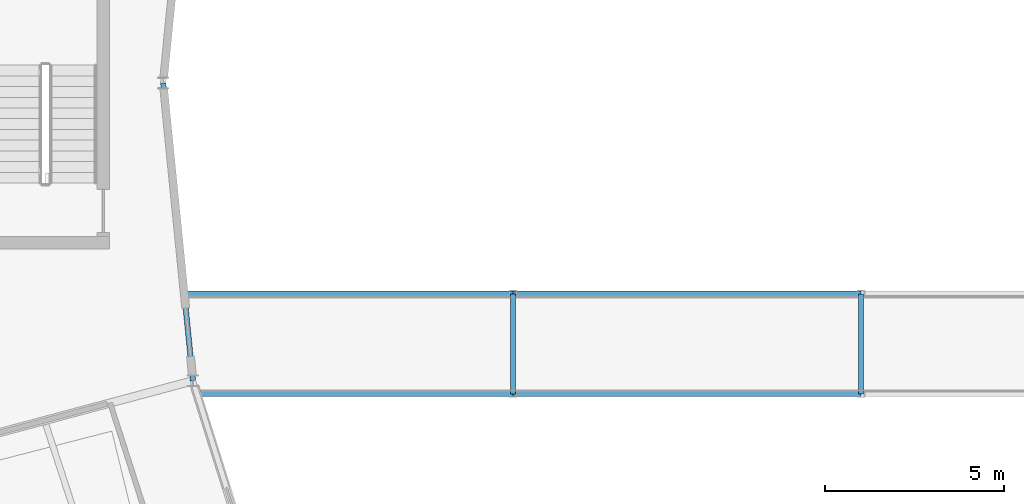
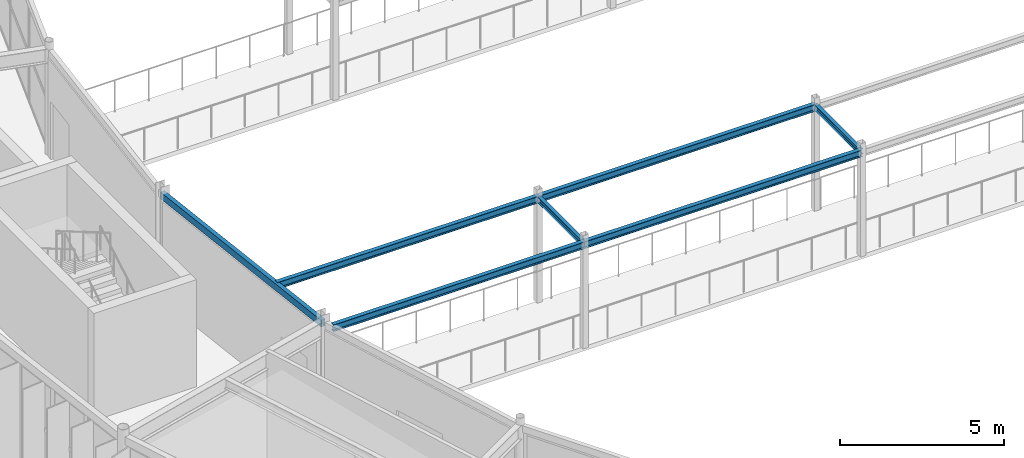
# One storey, part 44 of 148: 7 beams.
"""IFC4 building model written with IfcOpenShell, lengths in metres."""

import ifcopenshell
import ifcopenshell.guid

model = None  # the IFC model being written
_history = None  # IfcOwnerHistory: only IFC2X3 demands one
_inside = {}  # id of a spatial element -> (the spatial element, [elements in it])
_under = {}  # id of a project, library or spatial element -> (it, [spatial elements below it])
_declared = {}  # id of a project -> (the project, [libraries it declares])
_typed = {}  # id of a type object -> (the type object, [elements of that type])
_made_of = {}  # id of a material, layer set ... -> (it, [elements and type objects made of it])


def new_model(schema):
    """Start an empty IFC model of exactly this schema.

    Asked for "IFC4X3", IfcOpenShell would pick the latest addendum, in which some entities
    have other attributes; the version numbers below select the first issue.
    IFC2X3 requires an IfcOwnerHistory on every rooted entity: one is made here for all.
    """
    global model, _history
    if schema == "IFC4X3":
        model = ifcopenshell.file(schema_version=(4, 3, 0, 0))
    else:
        model = ifcopenshell.file(schema=schema)
    _inside.clear()
    _under.clear()
    _declared.clear()
    _typed.clear()
    _made_of.clear()
    _history = None
    if model.schema == "IFC2X3":
        org = make("IfcOrganization", Name="unknown")
        user = make(
            "IfcPersonAndOrganization",
            ThePerson=make("IfcPerson", FamilyName="unknown"),
            TheOrganization=org,
        )
        app = make(
            "IfcApplication",
            ApplicationDeveloper=org,
            Version="unknown",
            ApplicationFullName="unknown",
            ApplicationIdentifier="unknown",
        )
        _history = make(
            "IfcOwnerHistory",
            OwningUser=user,
            OwningApplication=app,
            ChangeAction="ADDED",
            CreationDate=0,
        )
    return model


def make(cls, **values):
    """One entity of the class cls with the attributes given. An attribute that is None is left unset."""
    return model.create_entity(
        cls, **{name: value for name, value in values.items() if value is not None}
    )


def rooted(cls, **values):
    """An entity with a GlobalId (a new one), such as an element, a storey or a relation."""
    return make(cls, GlobalId=ifcopenshell.guid.new(), OwnerHistory=_history, **values)


def si_unit(unit_type, name, prefix=None):
    """IfcSIUnit, for example si_unit("LENGTHUNIT", "METRE", prefix="MILLI")."""
    return make("IfcSIUnit", UnitType=unit_type, Prefix=prefix, Name=name)


def assignment(units):
    """IfcUnitAssignment: the units of a project."""
    return None if units is None else make("IfcUnitAssignment", Units=units)


def point(xyz):
    """IfcCartesianPoint."""
    return None if xyz is None else make("IfcCartesianPoint", Coordinates=xyz)


def direction(xyz):
    """IfcDirection."""
    return None if xyz is None else make("IfcDirection", DirectionRatios=xyz)


def frame(location, z_axis=None, x_axis=None):
    """IfcAxis2Placement3D, a coordinate frame: its origin and axes. An axis left out is left unset."""
    return make(
        "IfcAxis2Placement3D",
        Location=point(location),
        Axis=direction(z_axis),
        RefDirection=direction(x_axis),
    )


def frame_2d(location, x_axis=None):
    """IfcAxis2Placement2D, a coordinate frame in the plane: its origin and x axis."""
    return make(
        "IfcAxis2Placement2D", Location=point(location), RefDirection=direction(x_axis)
    )


def origin():
    """The frame at (0, 0, 0) with its axes left unset."""
    return frame((0.0, 0.0, 0.0))


def origin_2d():
    """The frame at (0, 0) in the plane with its x axis left unset."""
    return frame_2d((0.0, 0.0))


def place(relative_to, where):
    """IfcLocalPlacement: puts the frame where relative to a parent placement (None: the world)."""
    return make(
        "IfcLocalPlacement", PlacementRelTo=relative_to, RelativePlacement=where
    )


def context(
    kind, dimensions, precision=None, world=None, true_north=None, identifier=None
):
    """IfcGeometricRepresentationContext, for example the 3D "Model" context."""
    return make(
        "IfcGeometricRepresentationContext",
        ContextIdentifier=identifier,
        ContextType=kind,
        CoordinateSpaceDimension=dimensions,
        Precision=precision,
        WorldCoordinateSystem=world,
        TrueNorth=true_north,
    )


def subcontext(parent, identifier, kind, view, scale=None):
    """IfcGeometricRepresentationSubContext, for example "Body" below "Model"."""
    return make(
        "IfcGeometricRepresentationSubContext",
        ContextIdentifier=identifier,
        ContextType=kind,
        ParentContext=parent,
        TargetScale=scale,
        TargetView=view,
    )


def project(units=None, contexts=None):
    """IfcProject with its units and contexts."""
    return rooted(
        "IfcProject",
        Name="project",
        RepresentationContexts=contexts,
        UnitsInContext=assignment(units),
    )


def spatial(cls, under=None, at=None, **own):
    """A site, building, storey or space (cls), placed at a placement, below another one or the project."""
    s = rooted(cls, ObjectPlacement=at, **own)
    if under is not None:
        _under.setdefault(under.id(), (under, []))[1].append(s)
    return s


def profile(cls, at=None, kind="AREA", **sizes):
    """A parametric profile (cls). Its sizes go by their IFC names, for example OverallWidth=200.0."""
    return make(cls, ProfileType=kind, Position=at, **sizes)


def hollow_rectangle(**sizes):
    """IfcRectangleHollowProfileDef."""
    return profile("IfcRectangleHollowProfileDef", **sizes)


def i_section(**sizes):
    """IfcIShapeProfileDef."""
    return profile("IfcIShapeProfileDef", **sizes)


def extrude(swept, where, along, depth):
    """IfcExtrudedAreaSolid: the profile swept, set in the frame where, extruded along a direction by depth."""
    return make(
        "IfcExtrudedAreaSolid",
        SweptArea=swept,
        Position=where,
        ExtrudedDirection=direction(along),
        Depth=depth,
    )


def shape(context_of_items, identifier, shape_type, items):
    """IfcShapeRepresentation: the items that make up one representation, for example the "Body"."""
    return make(
        "IfcShapeRepresentation",
        ContextOfItems=context_of_items,
        RepresentationIdentifier=identifier,
        RepresentationType=shape_type,
        Items=items,
    )


def material(Name=None, Category=None):
    """IfcMaterial."""
    return make("IfcMaterial", Name=Name, Category=Category)


def material_profile(
    of_material, cross_section, Name=None, Category=None, Priority=None
):
    """IfcMaterialProfile: a cross section and its material."""
    return make(
        "IfcMaterialProfile",
        Name=Name,
        Material=of_material,
        Profile=cross_section,
        Priority=Priority,
        Category=Category,
    )


def profile_set(profiles, Name=None, composite=None):
    """IfcMaterialProfileSet."""
    return make(
        "IfcMaterialProfileSet",
        Name=Name,
        MaterialProfiles=profiles,
        CompositeProfile=composite,
    )


def made_of(thing, what):
    """Note that an element or type object is made of a material, layer set ...; save() writes the relation."""
    if what is not None:
        _made_of.setdefault(what.id(), (what, []))[1].append(thing)
    return thing


def type_object(cls, material=None, **own):
    """A type object (cls), such as IfcWallType, which elements share."""
    return made_of(rooted(cls, **own), material)


def element(
    cls,
    number,
    at=None,
    inside=None,
    cuts=None,
    type_object=None,
    material=None,
    context=None,
    identifier="Body",
    shape_type=None,
    held_by="IfcProductDefinitionShape",
    body=None,
    shapes=None,
    **own,
):
    """One element of the class cls, such as IfcWall. Its Tag is "e" and its number.

    at: its placement. inside: the storey or other place that contains it. cuts: it is an
    opening in that element (IfcRelVoidsElement). A single representation is given by context,
    identifier, shape_type and body (its items); several are given by shapes. held_by: the class
    of the entity that holds the representations. save() writes the other relations.
    """
    e = rooted(cls, Tag="e%d" % number, ObjectPlacement=at, **own)
    if body is not None:
        shapes = [shape(context, identifier, shape_type, body)]
    if shapes is not None:
        e.Representation = make(held_by, Representations=shapes)
    if inside is not None:
        _inside.setdefault(inside.id(), (inside, []))[1].append(e)
    if cuts is not None:
        rooted(
            "IfcRelVoidsElement", RelatingBuildingElement=cuts, RelatedOpeningElement=e
        )
    if type_object is not None:
        _typed.setdefault(type_object.id(), (type_object, []))[1].append(e)
    return made_of(e, material)


def aggregate(whole, parts):
    """IfcRelAggregates: a whole, such as a stair, and the parts it consists of."""
    return rooted("IfcRelAggregates", RelatingObject=whole, RelatedObjects=parts)


def save(model, path):
    """Write the relations noted so far, then the file.

    IfcRelAggregates (storeys below a building ...), IfcRelContainedInSpatialStructure (elements
    in a storey), IfcRelDefinesByType, IfcRelAssociatesMaterial and IfcRelDeclares: one each for
    every whole, place, type object, material and project.
    """
    for whole, parts in _under.values():
        aggregate(whole, parts)
    for where, things in _inside.values():
        rooted(
            "IfcRelContainedInSpatialStructure",
            RelatedElements=things,
            RelatingStructure=where,
        )
    for kind, things in _typed.values():
        rooted("IfcRelDefinesByType", RelatedObjects=things, RelatingType=kind)
    for what, things in _made_of.values():
        rooted("IfcRelAssociatesMaterial", RelatedObjects=things, RelatingMaterial=what)
    for by, libraries in _declared.values():
        rooted("IfcRelDeclares", RelatingContext=by, RelatedDefinitions=libraries)
    model.write(path)


model = new_model("IFC4")

# Units and contexts
model_context = context("Model", 3, precision=1e-05, world=origin(), true_north=direction((0.0, 1.0)))
body_context = subcontext(model_context, "Body", "Model", "MODEL_VIEW")
ifc_project = project(units=[si_unit("LENGTHUNIT", "METRE"), si_unit("AREAUNIT", "SQUARE_METRE"), si_unit("VOLUMEUNIT", "CUBIC_METRE"), si_unit("PLANEANGLEUNIT", "RADIAN"), si_unit("MASSUNIT", "GRAM", prefix="KILO")], contexts=[model_context])

# Site, building, storey
site_placement = place(None, origin())
site = spatial("IfcSite", under=ifc_project, at=site_placement, CompositionType="ELEMENT")
building_placement = place(site_placement, origin())
building = spatial("IfcBuilding", under=site, at=building_placement, Name="Karori Crest Natural Sciences Institute", CompositionType="ELEMENT")
storey_placement = place(building_placement, frame((0.0, 0.0, 4.89990234375)))
storey = spatial("IfcBuildingStorey", under=building, at=storey_placement, Name="L01", CompositionType="ELEMENT", Elevation=4.89990234375)

# Beams
ifc_material_1 = material(Name="Structural steel AS/NZS 3679.1 Grade 350", Category="steel")
ifc_material_profile_1 = material_profile(ifc_material_1, i_section(OverallWidth=0.14599609375, OverallDepth=0.256103515625, WebThickness=0.00634765625, FlangeThickness=0.010986328125, FilletRadius=0.009033203125, at=origin_2d()), Name="250UB37.3")
ifc_profile_set_1 = profile_set([ifc_material_profile_1], Name="Structural steel AS/NZS 3679.1 Grade 350")
beam_type_1 = type_object("IfcBeamType", Name="BT-11", PredefinedType="BEAM", material=ifc_profile_set_1)
for number, where, z_axis, x_axis, name in (
    (1, (51.7900390625, 41.199951171875, 3.81201171875), (1.0, 0.0, 0.0), (0.0, 1.0, 0.0), "Beam B-0726"),
    (2, (51.7900390625, 44.0, 3.81201171875), (1.0, 0.0, 0.0), (0.0, 1.0, 0.0), "Beam B-0729"),
):
    element("IfcBeam", number, at=place(storey_placement, frame(where, z_axis=z_axis, x_axis=x_axis)), inside=storey, type_object=beam_type_1, Name=name, PredefinedType="BEAM", context=body_context, shape_type="SweptSolid", body=[
        extrude(i_section(OverallWidth=0.14599609375, OverallDepth=0.256103515625, WebThickness=0.00634765625, FlangeThickness=0.010986328125, FilletRadius=0.009033203125, at=origin_2d()), origin(), (0.0, 0.0, 1.0), 9.739990234375),
    ])
beam_1_placement = place(storey_placement, frame((42.9462890625, 41.199951171875, 3.81201171875), z_axis=(1.0, 0.0, 0.0), x_axis=(0.0, 1.0, 0.0)))
element("IfcBeam", 3, at=beam_1_placement, inside=storey, type_object=beam_type_1, Name="Beam B-2909", PredefinedType="BEAM", context=body_context, shape_type="SweptSolid", body=[
    extrude(i_section(OverallWidth=0.14599609375, OverallDepth=0.256103515625, WebThickness=0.00634765625, FlangeThickness=0.010986328125, FilletRadius=0.009033203125, at=origin_2d()), origin(), (0.0, 0.0, 1.0), 8.84375),
])
beam_2_placement = place(storey_placement, frame((42.588623046875, 44.0, 3.81201171875), z_axis=(1.0, 0.0, 0.0), x_axis=(0.0, 1.0, 0.0)))
element("IfcBeam", 4, at=beam_2_placement, inside=storey, type_object=beam_type_1, Name="Beam B-2911", PredefinedType="BEAM", context=body_context, shape_type="SweptSolid", body=[
    extrude(i_section(OverallWidth=0.14599609375, OverallDepth=0.256103515625, WebThickness=0.00634765625, FlangeThickness=0.010986328125, FilletRadius=0.009033203125, at=origin_2d()), origin(), (0.0, 0.0, 1.0), 9.201416015625),
])
ifc_material_profile_2 = material_profile(ifc_material_1, i_section(OverallWidth=0.134033203125, OverallDepth=0.20703125, WebThickness=0.00634765625, FlangeThickness=0.009521484375, FilletRadius=0.009033203125, at=origin_2d()), Name="200UB29.8")
ifc_profile_set_2 = profile_set([ifc_material_profile_2], Name="Structural steel AS/NZS 3679.1 Grade 350")
beam_type_2 = type_object("IfcBeamType", Name="BT-13", PredefinedType="BEAM", material=ifc_profile_set_2)
for number, where, z_axis, x_axis, name in (
    (5, (51.7900390625, 41.199951171875, 3.820068359375), (0.0, 1.0, 0.0), (-1.0, 0.0, 0.0), "Beam B-0732"),
    (6, (61.530029296875, 41.199951171875, 3.820068359375), (0.0, 1.0, 0.0), (-1.0, 0.0, 0.0), "Beam B-0733"),
):
    element("IfcBeam", number, at=place(storey_placement, frame(where, z_axis=z_axis, x_axis=x_axis)), inside=storey, type_object=beam_type_2, Name=name, PredefinedType="BEAM", context=body_context, shape_type="SweptSolid", body=[
        extrude(i_section(OverallWidth=0.134033203125, OverallDepth=0.20703125, WebThickness=0.00634765625, FlangeThickness=0.009521484375, FilletRadius=0.009033203125, at=origin_2d()), origin(), (0.0, 0.0, 1.0), 2.800048828125),
    ])
ifc_material_2 = material(Name="Hollow structural steel AS/NZS 1163 Grade C350", Category="steel")
ifc_material_profile_3 = material_profile(ifc_material_2, hollow_rectangle(XDim=0.14990234375, YDim=0.25, WallThickness=0.009033203125, at=origin_2d()), Name="RHS250x150x9")
ifc_profile_set_3 = profile_set([ifc_material_profile_3], Name="Hollow structural steel AS/NZS 1163 Grade C350")
beam_type_3 = type_object("IfcBeamType", Name="BT-16", PredefinedType="SPANDREL", material=ifc_profile_set_3)
beam_3_placement = place(storey_placement, frame((42.0, 49.89990234375, 3.7900390625), z_axis=(0.099255508608, -0.995061979985, 0.0), x_axis=(0.995061979985, 0.099255508608, 0.0)))
element("IfcBeam", 7, at=beam_3_placement, inside=storey, type_object=beam_type_3, Name="Beam B-0227", PredefinedType="SPANDREL", context=body_context, shape_type="SweptSolid", body=[
    extrude(hollow_rectangle(XDim=0.14990234375, YDim=0.25, WallThickness=0.009033203125, at=origin_2d()), origin(), (0.0, 0.0, 1.0), 8.375244140625),
])

save(model, "model.ifc")
